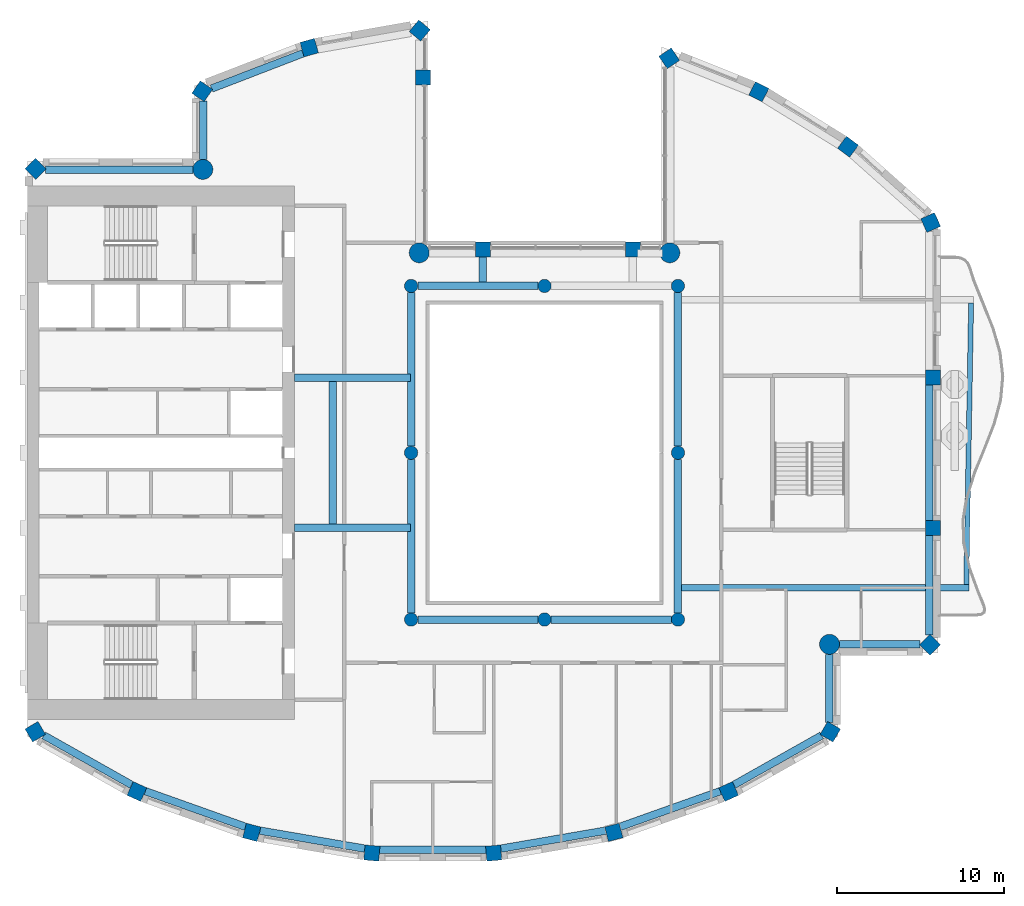
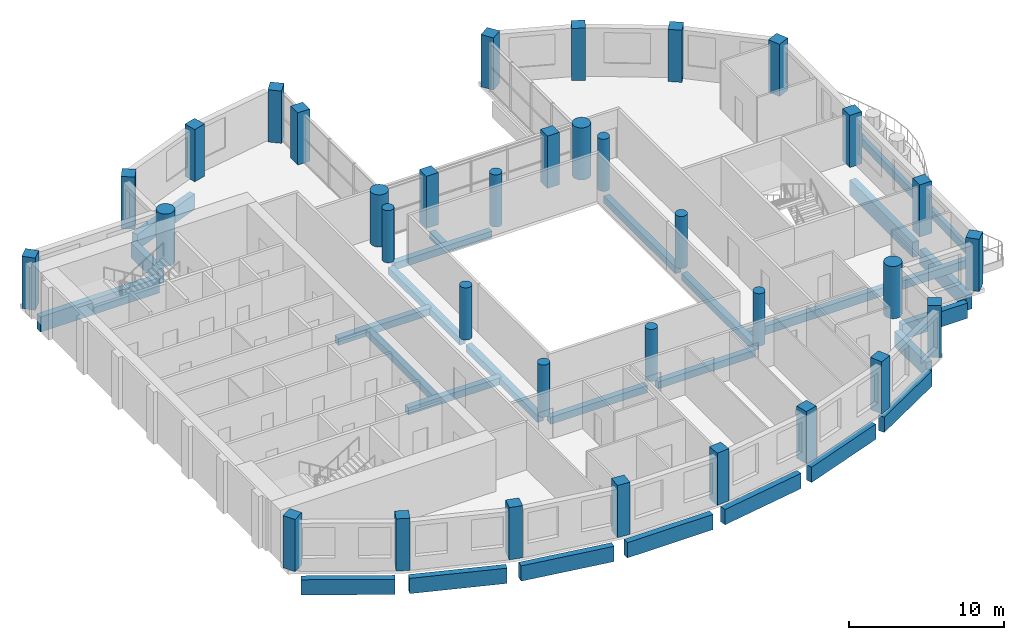
# One storey, part 1 of 14: 34 columns, 27 beams.
"""IFC4 building model written with IfcOpenShell, lengths in metres."""

from ifc_helpers import new_model, si_unit, direction, frame, origin, origin_2d, place, context, subcontext, project, spatial, rectangle, circle, extrude, material, material_profile, profile_set, type_object, element, save


model = new_model("IFC4")

# Units and contexts
model_context = context("Model", 3, precision=1e-05, world=origin(), true_north=direction((0.0, 1.0)))
body_context = subcontext(model_context, "Body", "Model", "MODEL_VIEW")
ifc_project = project(units=[si_unit("LENGTHUNIT", "METRE"), si_unit("AREAUNIT", "SQUARE_METRE"), si_unit("VOLUMEUNIT", "CUBIC_METRE"), si_unit("PLANEANGLEUNIT", "RADIAN"), si_unit("MASSUNIT", "GRAM", prefix="KILO")], contexts=[model_context])

# Site, building, storey
site_placement = place(None, origin())
site = spatial("IfcSite", under=ifc_project, at=site_placement, CompositionType="ELEMENT")
building_placement = place(site_placement, origin())
building = spatial("IfcBuilding", under=site, at=building_placement, Name="Cypress Arch Tower", CompositionType="ELEMENT")
storey_placement = place(building_placement, frame((0.0, 0.0, 325.39990234375)))
storey = spatial("IfcBuildingStorey", under=building, at=storey_placement, Name="L74", CompositionType="ELEMENT", Elevation=325.39990234375)

# Columns
ifc_material_1 = material(Name="Concrete C60/75", Category="concrete")
ifc_material_profile_1 = material_profile(ifc_material_1, rectangle(XDim=0.89990234375, YDim=0.89990234375, at=origin_2d()), Name="RC 900x900")
ifc_profile_set_1 = profile_set([ifc_material_profile_1], Name="Concrete C60/75")
column_type_1 = type_object("IfcColumnType", Name="Column RC 900x900 Concrete C60/75", PredefinedType="COLUMN", material=ifc_profile_set_1)
for number, where, z_axis, x_axis, name in (
    (1, (8.474853515625, 23.6474609375, 0.0), (0.0, 0.0, 1.0), (-0.828469606019, -0.560034027451, 0.0), "Column L74 CC00"),
    (2, (6.300048828125, 12.199951171875, 0.0), (0.0, 0.0, 1.0), (-1.0, 0.0, 0.0), "Column L74 CC02"),
    (3, (-2.699951171875, 12.199951171875, 0.0), (0.0, 0.0, 1.0), (-1.0, 0.0, 0.0), "Column L74 CC03"),
    (4, (-6.300048828125, 22.5, 0.0), (0.0, 0.0, 1.0), (0.0, 1.0, 0.0), "Column L74 CC05"),
    (5, (-6.48388671875, 25.313232421875, 0.0), (0.0, 0.0, 1.0), (-0.766063514674, 0.642764880407, 0.0), "Column L74 CC06"),
    (6, (-13.108154296875, 24.28955078125, 0.0), (0.0, 0.0, 1.0), (-0.96345574646, -0.267867550506, 0.0), "Column L74 CC07"),
    (7, (-19.5244140625, 21.673583984375, 0.0), (0.0, 0.0, 1.0), (-0.565892599589, -0.824478966215, 0.0), "Column L74 CC08"),
    (8, (-29.513671875, 17.013671875, 0.0), (0.0, 0.0, 1.0), (-0.707106781187, -0.707106781187, 0.0), "Column L74 CC10"),
    (9, (-29.534423828125, -16.72802734375, 0.0), (0.0, 0.0, 1.0), (0.504399289829, -0.86347053014, 0.0), "Column L74 CC11"),
    (10, (-23.439697265625, -20.312255859375, 0.0), (0.0, 0.0, 1.0), (0.909932071487, -0.414757308891, 0.0), "Column L74 CC12"),
    (11, (-16.55419921875, -22.762939453125, 0.0), (0.0, 0.0, 1.0), (0.96735573689, -0.2534223319, 0.0), "Column L74 CC13"),
    (12, (-9.351318359375, -24.00341796875, 0.0), (0.0, 0.0, 1.0), (0.996368206733, -0.085149260784, 0.0), "Column L74 CC14"),
    (13, (-2.048828125, -24.00341796875, 0.0), (0.0, 0.0, 1.0), (0.996368206733, 0.085149260784, 0.0), "Column L74 CC15"),
    (14, (5.154296875, -22.762939453125, 0.0), (0.0, 0.0, 1.0), (0.96735573689, 0.2534223319, 0.0), "Column L74 CC16"),
    (15, (12.039794921875, -20.312255859375, 0.0), (0.0, 0.0, 1.0), (0.909932071487, 0.414757308891, 0.0), "Column L74 CC17"),
    (16, (18.134521484375, -16.72802734375, 0.0), (0.0, 0.0, 1.0), (0.504399289829, 0.86347053014, 0.0), "Column L74 CC18"),
    (17, (24.113525390625, -11.513671875, 0.0), (0.0, 0.0, 1.0), (0.707106781187, 0.707106781187, 0.0), "Column L74 CC20"),
    (18, (24.300048828125, -4.5, 0.0), (0.0, 0.0, 1.0), (0.0, 1.0, 0.0), "Column L74 CC21"),
    (19, (24.300048828125, 4.5, 0.0), (0.0, 0.0, 1.0), (0.0, 1.0, 0.0), "Column L74 CC22"),
    (20, (24.155029296875, 13.800048828125, 0.0), (0.0, 0.0, 1.0), (-0.409765058504, 0.912191096662, 0.0), "Column L74 CC23"),
    (21, (19.197998046875, 18.347900390625, 0.0), (0.0, 0.0, 1.0), (-0.802798546114, 0.596250362144, 0.0), "Column L74 CC24"),
    (22, (13.84814453125, 21.638427734375, 0.0), (0.0, 0.0, 1.0), (-0.893106499805, 0.44984528452, 0.0), "Column L74 CC25"),
):
    element("IfcColumn", number, at=place(storey_placement, frame(where, z_axis=z_axis, x_axis=x_axis)), inside=storey, type_object=column_type_1, Name=name, PredefinedType="COLUMN", context=body_context, shape_type="SweptSolid", body=[
        extrude(rectangle(XDim=0.89990234375, YDim=0.89990234375, at=origin_2d()), origin(), (0.0, 0.0, 1.0), 4.10009765625),
    ])
ifc_material_2 = material(Name="Concrete C60/75", Category="concrete")
ifc_material_profile_2 = material_profile(ifc_material_2, circle(Radius=0.39990234375, at=origin_2d()), Name="RC D800")
ifc_profile_set_2 = profile_set([ifc_material_profile_2], Name="Concrete C60/75")
column_type_2 = type_object("IfcColumnType", Name="Column RC D800 Concrete C60/75", PredefinedType="COLUMN", material=ifc_profile_set_2)
for number, where, z_axis, x_axis, name in (
    (23, (-7.0, -10.0, 0.0), (0.0, 0.0, 1.0), (1.0, 0.0, 0.0), "Column L74 RNG-L74-G-7-10"),
    (24, (-7.0, 0.0, 0.0), (0.0, 0.0, 1.0), (1.0, 0.0, 0.0), "Column L74 RNG-L74-G-7+0"),
    (25, (-7.0, 10.0, 0.0), (0.0, 0.0, 1.0), (1.0, 0.0, 0.0), "Column L74 RNG-L74-G-7+10"),
    (26, (1.0, -10.0, 0.0), (0.0, 0.0, 1.0), (1.0, 0.0, 0.0), "Column L74 RNG-L74-G+1-10"),
    (27, (1.0, 10.0, 0.0), (0.0, 0.0, 1.0), (1.0, 0.0, 0.0), "Column L74 RNG-L74-G+1+10"),
    (28, (9.0, -10.0, 0.0), (0.0, 0.0, 1.0), (1.0, 0.0, 0.0), "Column L74 RNG-L74-G+9-10"),
    (29, (9.0, 0.0, 0.0), (0.0, 0.0, 1.0), (1.0, 0.0, 0.0), "Column L74 RNG-L74-G+9+0"),
    (30, (9.0, 10.0, 0.0), (0.0, 0.0, 1.0), (1.0, 0.0, 0.0), "Column L74 RNG-L74-G+9+10"),
):
    element("IfcColumn", number, at=place(storey_placement, frame(where, z_axis=z_axis, x_axis=x_axis)), inside=storey, type_object=column_type_2, Name=name, PredefinedType="COLUMN", context=body_context, shape_type="SweptSolid", body=[
        extrude(circle(Radius=0.39990234375, at=origin_2d()), origin(), (0.0, 0.0, 1.0), 4.10009765625),
    ])
ifc_material_3 = material(Name="Concrete C60/75", Category="concrete")
ifc_material_profile_3 = material_profile(ifc_material_3, circle(Radius=0.60009765625, at=origin_2d()), Name="RC D1200")
ifc_profile_set_3 = profile_set([ifc_material_profile_3], Name="Concrete C60/75")
column_type_3 = type_object("IfcColumnType", Name="Mega-column RC D1200 Concrete C60/75", PredefinedType="COLUMN", material=ifc_profile_set_3)
for number, where, z_axis, x_axis, name in (
    (31, (8.51220703125, 11.98779296875, 0.0), (0.0, 0.0, 1.0), (1.0, 0.0, 0.0), "Column L74 CC01"),
    (32, (-6.51220703125, 11.98779296875, 0.0), (0.0, 0.0, 1.0), (1.0, 0.0, 0.0), "Column L74 CC04"),
    (33, (-19.48779296875, 16.98779296875, 0.0), (0.0, 0.0, 1.0), (1.0, 0.0, 0.0), "Column L74 CC09"),
    (34, (18.087890625, -11.48779296875, 0.0), (0.0, 0.0, 1.0), (1.0, 0.0, 0.0), "Column L74 CC19"),
):
    element("IfcColumn", number, at=place(storey_placement, frame(where, z_axis=z_axis, x_axis=x_axis)), inside=storey, type_object=column_type_3, Name=name, PredefinedType="COLUMN", context=body_context, shape_type="SweptSolid", body=[
        extrude(circle(Radius=0.60009765625, at=origin_2d()), origin(), (0.0, 0.0, 1.0), 4.10009765625),
    ])

# Beams
ifc_material_4 = material(Name="Concrete C50/60", Category="concrete")
ifc_material_profile_4 = material_profile(ifc_material_4, rectangle(XDim=0.300048828125, YDim=0.64990234375, at=origin_2d()), Name="RC 300x650")
ifc_profile_set_4 = profile_set([ifc_material_profile_4], Name="Concrete C50/60")
beam_type_1 = type_object("IfcBeamType", Name="Balcony edge beam RC 300x650 Concrete C50/60", PredefinedType="BEAM", material=ifc_profile_set_4)
beam_1_placement = place(storey_placement, frame((26.287109375, -7.89990234375, -0.625), z_axis=(0.017191714936, 0.999852211548, 0.0), x_axis=(-0.999852211548, 0.017191714936, 0.0)))
element("IfcBeam", 35, at=beam_1_placement, inside=storey, type_object=beam_type_1, Name="Balcony edge beam L74 C17", PredefinedType="BEAM", context=body_context, shape_type="SweptSolid", body=[
    extrude(rectangle(XDim=0.300048828125, YDim=0.64990234375, at=origin_2d()), origin(), (0.0, 0.0, 1.0), 16.885009765625),
])
ifc_material_5 = material(Name="Concrete C50/60", Category="concrete")
ifc_material_profile_5 = material_profile(ifc_material_5, rectangle(XDim=0.39990234375, YDim=0.64990234375, at=origin_2d()), Name="RC 400x650")
ifc_profile_set_5 = profile_set([ifc_material_profile_5], Name="Concrete C50/60")
beam_type_2 = type_object("IfcBeamType", Name="Cantilever beam RC 400x650 Concrete C50/60", PredefinedType="BEAM", material=ifc_profile_set_5)
beam_2_placement = place(storey_placement, frame((9.22509765625, -8.10009765625, -0.625), z_axis=(1.0, 0.0, 0.0), x_axis=(0.0, 1.0, 0.0)))
element("IfcBeam", 36, at=beam_2_placement, inside=storey, type_object=beam_type_2, Name="Cantilever beam L74 C17 1", PredefinedType="BEAM", context=body_context, shape_type="SweptSolid", body=[
    extrude(rectangle(XDim=0.39990234375, YDim=0.64990234375, at=origin_2d()), origin(), (0.0, 0.0, 1.0), 17.212158203125),
])
ifc_material_6 = material(Name="Concrete C50/60", Category="concrete")
ifc_material_profile_6 = material_profile(ifc_material_6, rectangle(XDim=0.449951171875, YDim=0.550048828125, at=origin_2d()), Name="RC 450x550")
ifc_profile_set_6 = profile_set([ifc_material_profile_6], Name="Concrete C50/60")
beam_type_3 = type_object("IfcBeamType", Name="Floor beam RC 450x550 Concrete C50/60", PredefinedType="BEAM", material=ifc_profile_set_6)
for number, where, z_axis, x_axis, name in (
    (37, (-7.0, -9.60009765625, -0.574951171875), (0.0, 1.0, 0.0), (-1.0, 0.0, 0.0), "Floor beam L74 RB001"),
    (38, (-7.0, 0.39990234375, -0.574951171875), (0.0, 1.0, 0.0), (-1.0, 0.0, 0.0), "Floor beam L74 RB002"),
    (39, (9.0, -9.60009765625, -0.574951171875), (0.0, 1.0, 0.0), (-1.0, 0.0, 0.0), "Floor beam L74 RB003"),
    (40, (9.0, 0.39990234375, -0.574951171875), (0.0, 1.0, 0.0), (-1.0, 0.0, 0.0), "Floor beam L74 RB004"),
):
    element("IfcBeam", number, at=place(storey_placement, frame(where, z_axis=z_axis, x_axis=x_axis)), inside=storey, type_object=beam_type_3, Name=name, PredefinedType="BEAM", context=body_context, shape_type="SweptSolid", body=[
        extrude(rectangle(XDim=0.449951171875, YDim=0.550048828125, at=origin_2d()), origin(), (0.0, 0.0, 1.0), 9.2001953125),
    ])
for number, where, z_axis, x_axis, name in (
    (41, (-6.60009765625, -10.0, -0.574951171875), (1.0, 0.0, 0.0), (0.0, 1.0, 0.0), "Floor beam L74 RB005"),
    (42, (1.39990234375, -10.0, -0.574951171875), (1.0, 0.0, 0.0), (0.0, 1.0, 0.0), "Floor beam L74 RB006"),
    (43, (-6.60009765625, 10.0, -0.574951171875), (1.0, 0.0, 0.0), (0.0, 1.0, 0.0), "Floor beam L74 RB007"),
):
    element("IfcBeam", number, at=place(storey_placement, frame(where, z_axis=z_axis, x_axis=x_axis)), inside=storey, type_object=beam_type_3, Name=name, PredefinedType="BEAM", context=body_context, shape_type="SweptSolid", body=[
        extrude(rectangle(XDim=0.449951171875, YDim=0.550048828125, at=origin_2d()), origin(), (0.0, 0.0, 1.0), 7.2001953125),
    ])
for number, where, z_axis, x_axis, name in (
    (44, (-14.0, -4.5, -0.574951171875), (1.0, 0.0, 0.0), (0.0, 1.0, 0.0), "Floor beam L74 FB009"),
    (45, (-14.0, 4.5, -0.574951171875), (1.0, 0.0, 0.0), (0.0, 1.0, 0.0), "Floor beam L74 FB010"),
):
    element("IfcBeam", number, at=place(storey_placement, frame(where, z_axis=z_axis, x_axis=x_axis)), inside=storey, type_object=beam_type_3, Name=name, PredefinedType="BEAM", context=body_context, shape_type="SweptSolid", body=[
        extrude(rectangle(XDim=0.449951171875, YDim=0.550048828125, at=origin_2d()), origin(), (0.0, 0.0, 1.0), 6.949951171875),
    ])
beam_3_placement = place(storey_placement, frame((-11.699951171875, -4.27490234375, -0.574951171875), z_axis=(0.0, 1.0, 0.0), x_axis=(-1.0, 0.0, 0.0)))
element("IfcBeam", 46, at=beam_3_placement, inside=storey, type_object=beam_type_3, Name="Floor beam L74 FB011", PredefinedType="BEAM", context=body_context, shape_type="SweptSolid", body=[
    extrude(rectangle(XDim=0.449951171875, YDim=0.550048828125, at=origin_2d()), origin(), (0.0, 0.0, 1.0), 8.5498046875),
])
beam_4_placement = place(storey_placement, frame((-2.699951171875, 10.22509765625, -0.574951171875), z_axis=(0.0, 1.0, 0.0), x_axis=(-1.0, 0.0, 0.0)))
element("IfcBeam", 47, at=beam_4_placement, inside=storey, type_object=beam_type_3, Name="Floor beam L74 FB012", PredefinedType="BEAM", context=body_context, shape_type="SweptSolid", body=[
    extrude(rectangle(XDim=0.449951171875, YDim=0.550048828125, at=origin_2d()), origin(), (0.0, 0.0, 1.0), 1.52490234375),
])
ifc_material_7 = material(Name="Concrete C50/60", Category="concrete")
ifc_material_profile_7 = material_profile(ifc_material_7, rectangle(XDim=0.449951171875, YDim=1.199951171875, at=origin_2d()), Name="RC 450x1200")
ifc_profile_set_7 = profile_set([ifc_material_profile_7], Name="Concrete C50/60")
beam_type_4 = type_object("IfcBeamType", Name="Spandrel beam RC 450x1200 Concrete C50/60", PredefinedType="SPANDREL", material=ifc_profile_set_7)
beam_5_placement = place(storey_placement, frame((-13.48046875, 23.94921875, -1.5498046875), z_axis=(-0.933138853319, -0.359516175472, 0.0), x_axis=(0.359516175472, -0.933138853319, 0.0)))
element("IfcBeam", 48, at=beam_5_placement, inside=storey, type_object=beam_type_4, Name="Spandrel beam L74 BC04-0", PredefinedType="SPANDREL", context=body_context, shape_type="SweptSolid", body=[
    extrude(rectangle(XDim=0.449951171875, YDim=1.199951171875, at=origin_2d()), origin(), (0.0, 0.0, 1.0), 5.878173828125),
])
beam_6_placement = place(storey_placement, frame((-19.47509765625, 21.09375, -1.5498046875), z_axis=(0.0, -1.0, 0.0), x_axis=(1.0, 0.0, 0.0)))
element("IfcBeam", 49, at=beam_6_placement, inside=storey, type_object=beam_type_4, Name="Spandrel beam L74 BC05-0", PredefinedType="SPANDREL", context=body_context, shape_type="SweptSolid", body=[
    extrude(rectangle(XDim=0.449951171875, YDim=1.199951171875, at=origin_2d()), origin(), (0.0, 0.0, 1.0), 3.506103515625),
])
beam_7_placement = place(storey_placement, frame((-20.087646484375, 16.97509765625, -1.5498046875), z_axis=(-1.0, 0.0, 0.0), x_axis=(0.0, -1.0, 0.0)))
element("IfcBeam", 50, at=beam_7_placement, inside=storey, type_object=beam_type_4, Name="Spandrel beam L74 BC06-0", PredefinedType="SPANDREL", context=body_context, shape_type="SweptSolid", body=[
    extrude(rectangle(XDim=0.449951171875, YDim=1.199951171875, at=origin_2d()), origin(), (0.0, 0.0, 1.0), 8.828125),
])
beam_8_placement = place(storey_placement, frame((-29.02099609375, -16.94921875, -1.5498046875), z_axis=(0.871059543975, -0.491177433165, 0.0), x_axis=(0.491177433165, 0.871059543975, 0.0)))
element("IfcBeam", 51, at=beam_8_placement, inside=storey, type_object=beam_type_4, Name="Spandrel beam L74 BC08-0", PredefinedType="SPANDREL", context=body_context, shape_type="SweptSolid", body=[
    extrude(rectangle(XDim=0.449951171875, YDim=1.199951171875, at=origin_2d()), origin(), (0.0, 0.0, 1.0), 6.045654296875),
])
beam_9_placement = place(storey_placement, frame((-22.93603515625, -20.2919921875, -1.5498046875), z_axis=(0.942120065582, -0.33527568064, 0.0), x_axis=(0.33527568064, 0.942120065582, 0.0)))
element("IfcBeam", 52, at=beam_9_placement, inside=storey, type_object=beam_type_4, Name="Spandrel beam L74 BC09-0", PredefinedType="SPANDREL", context=body_context, shape_type="SweptSolid", body=[
    extrude(rectangle(XDim=0.449951171875, YDim=1.199951171875, at=origin_2d()), origin(), (0.0, 0.0, 1.0), 6.373046875),
])
beam_10_placement = place(storey_placement, frame((-16.061279296875, -22.656982421875, -1.5498046875), z_axis=(0.985502990778, -0.169658053646, 0.0), x_axis=(0.169658053646, 0.985502990778, 0.0)))
element("IfcBeam", 53, at=beam_10_placement, inside=storey, type_object=beam_type_4, Name="Spandrel beam L74 BC10-0", PredefinedType="SPANDREL", context=body_context, shape_type="SweptSolid", body=[
    extrude(rectangle(XDim=0.449951171875, YDim=1.199951171875, at=origin_2d()), origin(), (0.0, 0.0, 1.0), 6.373291015625),
])
beam_11_placement = place(storey_placement, frame((-8.883544921875, -23.81494140625, -1.5498046875), z_axis=(1.0, 0.0, 0.0), x_axis=(0.0, 1.0, 0.0)))
element("IfcBeam", 54, at=beam_11_placement, inside=storey, type_object=beam_type_4, Name="Spandrel beam L74 BC11-0", PredefinedType="SPANDREL", context=body_context, shape_type="SweptSolid", body=[
    extrude(rectangle(XDim=0.449951171875, YDim=1.199951171875, at=origin_2d()), origin(), (0.0, 0.0, 1.0), 6.366943359375),
])
beam_12_placement = place(storey_placement, frame((-1.619873046875, -23.73828125, -1.5498046875), z_axis=(0.985504093315, 0.169651649149, 0.0), x_axis=(-0.169651649149, 0.985504093315, 0.0)))
element("IfcBeam", 55, at=beam_12_placement, inside=storey, type_object=beam_type_4, Name="Spandrel beam L74 BC12-0", PredefinedType="SPANDREL", context=body_context, shape_type="SweptSolid", body=[
    extrude(rectangle(XDim=0.449951171875, YDim=1.199951171875, at=origin_2d()), origin(), (0.0, 0.0, 1.0), 6.37353515625),
])
beam_13_placement = place(storey_placement, frame((5.531982421875, -22.4287109375, -1.5498046875), z_axis=(0.942115759102, 0.335287781541, 0.0), x_axis=(-0.335287781541, 0.942115759102, 0.0)))
element("IfcBeam", 56, at=beam_13_placement, inside=storey, type_object=beam_type_4, Name="Spandrel beam L74 BC13-0", PredefinedType="SPANDREL", context=body_context, shape_type="SweptSolid", body=[
    extrude(rectangle(XDim=0.449951171875, YDim=1.199951171875, at=origin_2d()), origin(), (0.0, 0.0, 1.0), 6.372802734375),
])
beam_14_placement = place(storey_placement, frame((12.35498046875, -19.918701171875, -1.5498046875), z_axis=(0.871059543975, 0.491177433165, 0.0), x_axis=(-0.491177433165, 0.871059543975, 0.0)))
element("IfcBeam", 57, at=beam_14_placement, inside=storey, type_object=beam_type_4, Name="Spandrel beam L74 BC14-0", PredefinedType="SPANDREL", context=body_context, shape_type="SweptSolid", body=[
    extrude(rectangle(XDim=0.449951171875, YDim=1.199951171875, at=origin_2d()), origin(), (0.0, 0.0, 1.0), 6.045654296875),
])
beam_15_placement = place(storey_placement, frame((18.074951171875, -16.172119140625, -1.5498046875), z_axis=(0.0, 1.0, 0.0), x_axis=(-1.0, 0.0, 0.0)))
element("IfcBeam", 58, at=beam_15_placement, inside=storey, type_object=beam_type_4, Name="Spandrel beam L74 BC15-0", PredefinedType="SPANDREL", context=body_context, shape_type="SweptSolid", body=[
    extrude(rectangle(XDim=0.449951171875, YDim=1.199951171875, at=origin_2d()), origin(), (0.0, 0.0, 1.0), 4.08447265625),
])
beam_16_placement = place(storey_placement, frame((18.6875, -11.47509765625, -1.5498046875), z_axis=(1.0, 0.0, 0.0), x_axis=(0.0, 1.0, 0.0)))
element("IfcBeam", 59, at=beam_16_placement, inside=storey, type_object=beam_type_4, Name="Spandrel beam L74 BC16-0", PredefinedType="SPANDREL", context=body_context, shape_type="SweptSolid", body=[
    extrude(rectangle(XDim=0.449951171875, YDim=1.199951171875, at=origin_2d()), origin(), (0.0, 0.0, 1.0), 4.828369140625),
])
beam_17_placement = place(storey_placement, frame((24.074951171875, -10.915771484375, -1.5498046875), z_axis=(0.0, 1.0, 0.0), x_axis=(-1.0, 0.0, 0.0)))
element("IfcBeam", 60, at=beam_17_placement, inside=storey, type_object=beam_type_4, Name="Spandrel beam L74 BC17-0", PredefinedType="SPANDREL", context=body_context, shape_type="SweptSolid", body=[
    extrude(rectangle(XDim=0.449951171875, YDim=1.199951171875, at=origin_2d()), origin(), (0.0, 0.0, 1.0), 5.9658203125),
])
beam_18_placement = place(storey_placement, frame((24.074951171875, -4.050048828125, -1.5498046875), z_axis=(0.0, 1.0, 0.0), x_axis=(-1.0, 0.0, 0.0)))
element("IfcBeam", 61, at=beam_18_placement, inside=storey, type_object=beam_type_4, Name="Spandrel beam L74 BC17-1", PredefinedType="SPANDREL", context=body_context, shape_type="SweptSolid", body=[
    extrude(rectangle(XDim=0.449951171875, YDim=1.199951171875, at=origin_2d()), origin(), (0.0, 0.0, 1.0), 8.10009765625),
])

save(model, "model.ifc")
